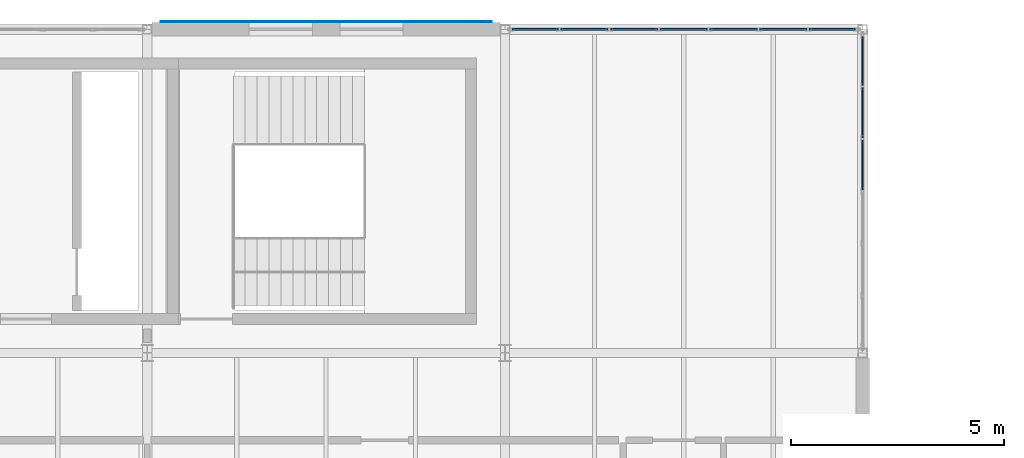
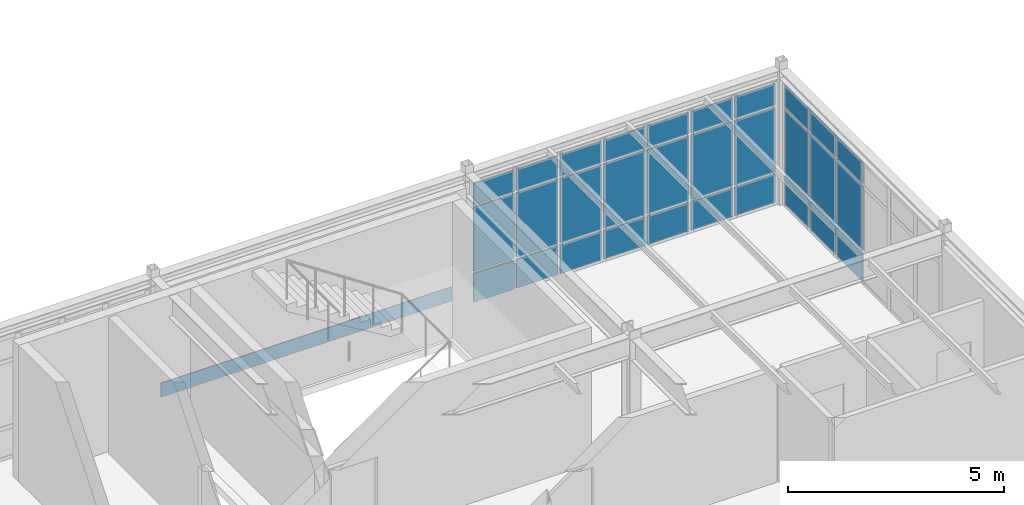
# One storey, part 74 of 114: 31 plates, 2 elements without a shape of their own.
"""IFC4 building model written with IfcOpenShell, lengths in metres."""

from ifc_helpers import new_model, si_unit, direction, frame, origin, origin_2d, place, context, subcontext, project, spatial, rectangle, extrude, material, layer, layer_set, type_object, element, aggregate, save


model = new_model("IFC4")

# Units and contexts
model_context = context("Model", 3, precision=1e-05, world=origin(), true_north=direction((0.0, 1.0)))
body_context = subcontext(model_context, "Body", "Model", "MODEL_VIEW")
ifc_project = project(units=[si_unit("LENGTHUNIT", "METRE"), si_unit("AREAUNIT", "SQUARE_METRE"), si_unit("VOLUMEUNIT", "CUBIC_METRE"), si_unit("PLANEANGLEUNIT", "RADIAN"), si_unit("MASSUNIT", "GRAM", prefix="KILO")], contexts=[model_context])

# Site, building, storey
site_placement = place(None, origin())
site = spatial("IfcSite", under=ifc_project, at=site_placement, CompositionType="ELEMENT")
building_placement = place(site_placement, origin())
building = spatial("IfcBuilding", under=site, at=building_placement, Name="Montecoro Central Library", CompositionType="ELEMENT")
storey_placement = place(building_placement, frame((0.0, 0.0, 13.260009765625)))
storey = spatial("IfcBuildingStorey", under=building, at=storey_placement, Name="L03", CompositionType="ELEMENT", Elevation=13.260009765625)

# Curtain wall, plates
ifc_material_1 = material(Name="Bronze-anodised aluminium and low-E glazing", Category="aluminium")
ifc_layer_1 = layer(ifc_material_1, 0.159912109375)
ifc_layer_set_1 = layer_set([ifc_layer_1], Name="Bronze-anodised aluminium and low-E glazing")
curtain_wall_type_1 = type_object("IfcCurtainWallType", Name="CWT-018", PredefinedType="NOTDEFINED", material=ifc_layer_set_1)
curtain_wall_1_placement = place(storey_placement, origin())
curtain_wall_1 = element("IfcCurtainWall", 1, at=curtain_wall_1_placement, inside=storey, type_object=curtain_wall_type_1, Name="V2-L03-CW-E3", PredefinedType="NOTDEFINED")
ifc_material_2 = material(Name="Laminated low-E double glazing", Category="glass")
ifc_layer_2 = layer(ifc_material_2, 0.033935546875)
ifc_layer_set_2 = layer_set([ifc_layer_2], Name="Laminated low-E double glazing")
plate_type_1 = type_object("IfcPlateType", Name="CWP-GLZ-03", PredefinedType="CURTAIN_PANEL", material=ifc_layer_set_2)
plate_1_placement = place(storey_placement, frame((116.800048828125, 115.814453125, 0.06005859375), z_axis=(0.0, 0.0, 1.0), x_axis=(0.0, 1.0, 0.0)))
plate_1 = element("IfcPlate", 2, at=plate_1_placement, type_object=plate_type_1, Name="CW-018 panel 4.1", PredefinedType="CURTAIN_PANEL", context=body_context, shape_type="SweptSolid", body=[
    extrude(rectangle(XDim=1.1689453125, YDim=0.033935546875, at=origin_2d()), origin(), (0.0, 0.0, 1.0), 0.81005859375),
])
plate_2_placement = place(storey_placement, frame((116.800048828125, 115.814453125, 0.93017578125), z_axis=(0.0, 0.0, 1.0), x_axis=(0.0, 1.0, 0.0)))
plate_2 = element("IfcPlate", 3, at=plate_2_placement, type_object=plate_type_1, Name="CW-018 panel 4.2", PredefinedType="CURTAIN_PANEL", context=body_context, shape_type="SweptSolid", body=[
    extrude(rectangle(XDim=1.1689453125, YDim=0.033935546875, at=origin_2d()), origin(), (0.0, 0.0, 1.0), 1.820068359375),
])
plate_3_placement = place(storey_placement, frame((116.800048828125, 115.814453125, 2.81005859375), z_axis=(0.0, 0.0, 1.0), x_axis=(0.0, 1.0, 0.0)))
plate_3 = element("IfcPlate", 4, at=plate_3_placement, type_object=plate_type_1, Name="CW-018 panel 4.3", PredefinedType="CURTAIN_PANEL", context=body_context, shape_type="SweptSolid", body=[
    extrude(rectangle(XDim=1.1689453125, YDim=0.033935546875, at=origin_2d()), origin(), (0.0, 0.0, 1.0), 0.610107421875),
])
plate_4_placement = place(storey_placement, frame((116.800048828125, 117.04345703125, 0.06005859375), z_axis=(0.0, 0.0, 1.0), x_axis=(0.0, 1.0, 0.0)))
plate_4 = element("IfcPlate", 5, at=plate_4_placement, type_object=plate_type_1, Name="CW-018 panel 5.1", PredefinedType="CURTAIN_PANEL", context=body_context, shape_type="SweptSolid", body=[
    extrude(rectangle(XDim=1.1689453125, YDim=0.033935546875, at=origin_2d()), origin(), (0.0, 0.0, 1.0), 0.81005859375),
])
plate_5_placement = place(storey_placement, frame((116.800048828125, 117.04345703125, 0.93017578125), z_axis=(0.0, 0.0, 1.0), x_axis=(0.0, 1.0, 0.0)))
plate_5 = element("IfcPlate", 6, at=plate_5_placement, type_object=plate_type_1, Name="CW-018 panel 5.2", PredefinedType="CURTAIN_PANEL", context=body_context, shape_type="SweptSolid", body=[
    extrude(rectangle(XDim=1.1689453125, YDim=0.033935546875, at=origin_2d()), origin(), (0.0, 0.0, 1.0), 1.820068359375),
])
plate_6_placement = place(storey_placement, frame((116.800048828125, 117.04345703125, 2.81005859375), z_axis=(0.0, 0.0, 1.0), x_axis=(0.0, 1.0, 0.0)))
plate_6 = element("IfcPlate", 7, at=plate_6_placement, type_object=plate_type_1, Name="CW-018 panel 5.3", PredefinedType="CURTAIN_PANEL", context=body_context, shape_type="SweptSolid", body=[
    extrude(rectangle(XDim=1.1689453125, YDim=0.033935546875, at=origin_2d()), origin(), (0.0, 0.0, 1.0), 0.610107421875),
])
plate_7_placement = place(storey_placement, frame((116.800048828125, 118.257568359375, 0.06005859375), z_axis=(0.0, 0.0, 1.0), x_axis=(0.0, 1.0, 0.0)))
plate_7 = element("IfcPlate", 8, at=plate_7_placement, type_object=plate_type_1, Name="CW-018 panel 6.1", PredefinedType="CURTAIN_PANEL", context=body_context, shape_type="SweptSolid", body=[
    extrude(rectangle(XDim=1.138916015625, YDim=0.033935546875, at=origin_2d()), origin(), (0.0, 0.0, 1.0), 0.81005859375),
])
plate_8_placement = place(storey_placement, frame((116.800048828125, 118.257568359375, 0.93017578125), z_axis=(0.0, 0.0, 1.0), x_axis=(0.0, 1.0, 0.0)))
plate_8 = element("IfcPlate", 9, at=plate_8_placement, type_object=plate_type_1, Name="CW-018 panel 6.2", PredefinedType="CURTAIN_PANEL", context=body_context, shape_type="SweptSolid", body=[
    extrude(rectangle(XDim=1.138916015625, YDim=0.033935546875, at=origin_2d()), origin(), (0.0, 0.0, 1.0), 1.820068359375),
])
plate_9_placement = place(storey_placement, frame((116.800048828125, 118.257568359375, 2.81005859375), z_axis=(0.0, 0.0, 1.0), x_axis=(0.0, 1.0, 0.0)))
plate_9 = element("IfcPlate", 10, at=plate_9_placement, type_object=plate_type_1, Name="CW-018 panel 6.3", PredefinedType="CURTAIN_PANEL", context=body_context, shape_type="SweptSolid", body=[
    extrude(rectangle(XDim=1.138916015625, YDim=0.033935546875, at=origin_2d()), origin(), (0.0, 0.0, 1.0), 0.610107421875),
])
aggregate(curtain_wall_1, [plate_1, plate_2, plate_3, plate_4, plate_5, plate_6, plate_7, plate_8, plate_9])

ifc_layer_3 = layer(ifc_material_1, 0.159912109375)
ifc_layer_set_3 = layer_set([ifc_layer_3], Name="Bronze-anodised aluminium and low-E glazing")
curtain_wall_type_2 = type_object("IfcCurtainWallType", Name="CWT-019", PredefinedType="NOTDEFINED", material=ifc_layer_set_3)
curtain_wall_2_placement = place(storey_placement, origin())
curtain_wall_2 = element("IfcCurtainWall", 11, at=curtain_wall_2_placement, inside=storey, type_object=curtain_wall_type_2, Name="V2-L03-CW-N5", PredefinedType="NOTDEFINED")
ifc_layer_4 = layer(ifc_material_2, 0.0419921875)
ifc_layer_set_4 = layer_set([ifc_layer_4], Name="Laminated low-E double glazing")
plate_type_2 = type_object("IfcPlateType", Name="CWP-GLZ-05", PredefinedType="CURTAIN_PANEL", material=ifc_layer_set_4)
plate_10_placement = place(storey_placement, frame((116.088134765625, 119.0, 0.06005859375), z_axis=(0.0, 0.0, 1.0), x_axis=(-1.0, 0.0, 0.0)))
plate_10 = element("IfcPlate", 12, at=plate_10_placement, type_object=plate_type_2, Name="CW-019 panel 1.1", PredefinedType="CURTAIN_PANEL", context=body_context, shape_type="SweptSolid", body=[
    extrude(rectangle(XDim=1.07763671875, YDim=0.0419921875, at=origin_2d()), origin(), (0.0, 0.0, 1.0), 0.81005859375),
])
plate_11_placement = place(storey_placement, frame((116.088134765625, 119.0, 0.93017578125), z_axis=(0.0, 0.0, 1.0), x_axis=(-1.0, 0.0, 0.0)))
plate_11 = element("IfcPlate", 13, at=plate_11_placement, type_object=plate_type_2, Name="CW-019 panel 1.2", PredefinedType="CURTAIN_PANEL", context=body_context, shape_type="SweptSolid", body=[
    extrude(rectangle(XDim=1.07763671875, YDim=0.0419921875, at=origin_2d()), origin(), (0.0, 0.0, 1.0), 1.820068359375),
])
plate_12_placement = place(storey_placement, frame((116.088134765625, 119.0, 2.81005859375), z_axis=(0.0, 0.0, 1.0), x_axis=(-1.0, 0.0, 0.0)))
plate_12 = element("IfcPlate", 14, at=plate_12_placement, type_object=plate_type_2, Name="CW-019 panel 1.3", PredefinedType="CURTAIN_PANEL", context=body_context, shape_type="SweptSolid", body=[
    extrude(rectangle(XDim=1.07763671875, YDim=0.0419921875, at=origin_2d()), origin(), (0.0, 0.0, 1.0), 0.610107421875),
])
plate_13_placement = place(storey_placement, frame((114.935546875, 119.0, 0.06005859375), z_axis=(0.0, 0.0, 1.0), x_axis=(-1.0, 0.0, 0.0)))
plate_13 = element("IfcPlate", 15, at=plate_13_placement, type_object=plate_type_2, Name="CW-019 panel 2.1", PredefinedType="CURTAIN_PANEL", context=body_context, shape_type="SweptSolid", body=[
    extrude(rectangle(XDim=1.107666015625, YDim=0.0419921875, at=origin_2d()), origin(), (0.0, 0.0, 1.0), 0.81005859375),
])
plate_14_placement = place(storey_placement, frame((114.935546875, 119.0, 0.93017578125), z_axis=(0.0, 0.0, 1.0), x_axis=(-1.0, 0.0, 0.0)))
plate_14 = element("IfcPlate", 16, at=plate_14_placement, type_object=plate_type_2, Name="CW-019 panel 2.2", PredefinedType="CURTAIN_PANEL", context=body_context, shape_type="SweptSolid", body=[
    extrude(rectangle(XDim=1.107666015625, YDim=0.0419921875, at=origin_2d()), origin(), (0.0, 0.0, 1.0), 1.820068359375),
])
plate_15_placement = place(storey_placement, frame((114.935546875, 119.0, 2.81005859375), z_axis=(0.0, 0.0, 1.0), x_axis=(-1.0, 0.0, 0.0)))
plate_15 = element("IfcPlate", 17, at=plate_15_placement, type_object=plate_type_2, Name="CW-019 panel 2.3", PredefinedType="CURTAIN_PANEL", context=body_context, shape_type="SweptSolid", body=[
    extrude(rectangle(XDim=1.107666015625, YDim=0.0419921875, at=origin_2d()), origin(), (0.0, 0.0, 1.0), 0.610107421875),
])
plate_16_placement = place(storey_placement, frame((113.767822265625, 119.0, 0.06005859375), z_axis=(0.0, 0.0, 1.0), x_axis=(-1.0, 0.0, 0.0)))
plate_16 = element("IfcPlate", 18, at=plate_16_placement, type_object=plate_type_2, Name="CW-019 panel 3.1", PredefinedType="CURTAIN_PANEL", context=body_context, shape_type="SweptSolid", body=[
    extrude(rectangle(XDim=1.107666015625, YDim=0.0419921875, at=origin_2d()), origin(), (0.0, 0.0, 1.0), 0.81005859375),
])
plate_17_placement = place(storey_placement, frame((113.767822265625, 119.0, 0.93017578125), z_axis=(0.0, 0.0, 1.0), x_axis=(-1.0, 0.0, 0.0)))
plate_17 = element("IfcPlate", 19, at=plate_17_placement, type_object=plate_type_2, Name="CW-019 panel 3.2", PredefinedType="CURTAIN_PANEL", context=body_context, shape_type="SweptSolid", body=[
    extrude(rectangle(XDim=1.107666015625, YDim=0.0419921875, at=origin_2d()), origin(), (0.0, 0.0, 1.0), 1.820068359375),
])
plate_18_placement = place(storey_placement, frame((113.767822265625, 119.0, 2.81005859375), z_axis=(0.0, 0.0, 1.0), x_axis=(-1.0, 0.0, 0.0)))
plate_18 = element("IfcPlate", 20, at=plate_18_placement, type_object=plate_type_2, Name="CW-019 panel 3.3", PredefinedType="CURTAIN_PANEL", context=body_context, shape_type="SweptSolid", body=[
    extrude(rectangle(XDim=1.107666015625, YDim=0.0419921875, at=origin_2d()), origin(), (0.0, 0.0, 1.0), 0.610107421875),
])
plate_19_placement = place(storey_placement, frame((112.60009765625, 119.0, 0.06005859375), z_axis=(0.0, 0.0, 1.0), x_axis=(-1.0, 0.0, 0.0)))
plate_19 = element("IfcPlate", 21, at=plate_19_placement, type_object=plate_type_2, Name="CW-019 panel 4.1", PredefinedType="CURTAIN_PANEL", context=body_context, shape_type="SweptSolid", body=[
    extrude(rectangle(XDim=1.107666015625, YDim=0.0419921875, at=origin_2d()), origin(), (0.0, 0.0, 1.0), 0.81005859375),
])
plate_20_placement = place(storey_placement, frame((112.60009765625, 119.0, 0.93017578125), z_axis=(0.0, 0.0, 1.0), x_axis=(-1.0, 0.0, 0.0)))
plate_20 = element("IfcPlate", 22, at=plate_20_placement, type_object=plate_type_2, Name="CW-019 panel 4.2", PredefinedType="CURTAIN_PANEL", context=body_context, shape_type="SweptSolid", body=[
    extrude(rectangle(XDim=1.107666015625, YDim=0.0419921875, at=origin_2d()), origin(), (0.0, 0.0, 1.0), 1.820068359375),
])
plate_21_placement = place(storey_placement, frame((112.60009765625, 119.0, 2.81005859375), z_axis=(0.0, 0.0, 1.0), x_axis=(-1.0, 0.0, 0.0)))
plate_21 = element("IfcPlate", 23, at=plate_21_placement, type_object=plate_type_2, Name="CW-019 panel 4.3", PredefinedType="CURTAIN_PANEL", context=body_context, shape_type="SweptSolid", body=[
    extrude(rectangle(XDim=1.107666015625, YDim=0.0419921875, at=origin_2d()), origin(), (0.0, 0.0, 1.0), 0.610107421875),
])
plate_22_placement = place(storey_placement, frame((111.432373046875, 119.0, 0.06005859375), z_axis=(0.0, 0.0, 1.0), x_axis=(-1.0, 0.0, 0.0)))
plate_22 = element("IfcPlate", 24, at=plate_22_placement, type_object=plate_type_2, Name="CW-019 panel 5.1", PredefinedType="CURTAIN_PANEL", context=body_context, shape_type="SweptSolid", body=[
    extrude(rectangle(XDim=1.107666015625, YDim=0.0419921875, at=origin_2d()), origin(), (0.0, 0.0, 1.0), 0.81005859375),
])
plate_23_placement = place(storey_placement, frame((111.432373046875, 119.0, 0.93017578125), z_axis=(0.0, 0.0, 1.0), x_axis=(-1.0, 0.0, 0.0)))
plate_23 = element("IfcPlate", 25, at=plate_23_placement, type_object=plate_type_2, Name="CW-019 panel 5.2", PredefinedType="CURTAIN_PANEL", context=body_context, shape_type="SweptSolid", body=[
    extrude(rectangle(XDim=1.107666015625, YDim=0.0419921875, at=origin_2d()), origin(), (0.0, 0.0, 1.0), 1.820068359375),
])
plate_24_placement = place(storey_placement, frame((111.432373046875, 119.0, 2.81005859375), z_axis=(0.0, 0.0, 1.0), x_axis=(-1.0, 0.0, 0.0)))
plate_24 = element("IfcPlate", 26, at=plate_24_placement, type_object=plate_type_2, Name="CW-019 panel 5.3", PredefinedType="CURTAIN_PANEL", context=body_context, shape_type="SweptSolid", body=[
    extrude(rectangle(XDim=1.107666015625, YDim=0.0419921875, at=origin_2d()), origin(), (0.0, 0.0, 1.0), 0.610107421875),
])
plate_25_placement = place(storey_placement, frame((110.2646484375, 119.0, 0.06005859375), z_axis=(0.0, 0.0, 1.0), x_axis=(-1.0, 0.0, 0.0)))
plate_25 = element("IfcPlate", 27, at=plate_25_placement, type_object=plate_type_2, Name="CW-019 panel 6.1", PredefinedType="CURTAIN_PANEL", context=body_context, shape_type="SweptSolid", body=[
    extrude(rectangle(XDim=1.107666015625, YDim=0.0419921875, at=origin_2d()), origin(), (0.0, 0.0, 1.0), 0.81005859375),
])
plate_26_placement = place(storey_placement, frame((110.2646484375, 119.0, 0.93017578125), z_axis=(0.0, 0.0, 1.0), x_axis=(-1.0, 0.0, 0.0)))
plate_26 = element("IfcPlate", 28, at=plate_26_placement, type_object=plate_type_2, Name="CW-019 panel 6.2", PredefinedType="CURTAIN_PANEL", context=body_context, shape_type="SweptSolid", body=[
    extrude(rectangle(XDim=1.107666015625, YDim=0.0419921875, at=origin_2d()), origin(), (0.0, 0.0, 1.0), 1.820068359375),
])
plate_27_placement = place(storey_placement, frame((110.2646484375, 119.0, 2.81005859375), z_axis=(0.0, 0.0, 1.0), x_axis=(-1.0, 0.0, 0.0)))
plate_27 = element("IfcPlate", 29, at=plate_27_placement, type_object=plate_type_2, Name="CW-019 panel 6.3", PredefinedType="CURTAIN_PANEL", context=body_context, shape_type="SweptSolid", body=[
    extrude(rectangle(XDim=1.107666015625, YDim=0.0419921875, at=origin_2d()), origin(), (0.0, 0.0, 1.0), 0.610107421875),
])
plate_28_placement = place(storey_placement, frame((109.11181640625, 119.0, 0.06005859375), z_axis=(0.0, 0.0, 1.0), x_axis=(-1.0, 0.0, 0.0)))
plate_28 = element("IfcPlate", 30, at=plate_28_placement, type_object=plate_type_2, Name="CW-019 panel 7.1", PredefinedType="CURTAIN_PANEL", context=body_context, shape_type="SweptSolid", body=[
    extrude(rectangle(XDim=1.07763671875, YDim=0.0419921875, at=origin_2d()), origin(), (0.0, 0.0, 1.0), 0.81005859375),
])
plate_29_placement = place(storey_placement, frame((109.11181640625, 119.0, 0.93017578125), z_axis=(0.0, 0.0, 1.0), x_axis=(-1.0, 0.0, 0.0)))
plate_29 = element("IfcPlate", 31, at=plate_29_placement, type_object=plate_type_2, Name="CW-019 panel 7.2", PredefinedType="CURTAIN_PANEL", context=body_context, shape_type="SweptSolid", body=[
    extrude(rectangle(XDim=1.07763671875, YDim=0.0419921875, at=origin_2d()), origin(), (0.0, 0.0, 1.0), 1.820068359375),
])
plate_30_placement = place(storey_placement, frame((109.11181640625, 119.0, 2.81005859375), z_axis=(0.0, 0.0, 1.0), x_axis=(-1.0, 0.0, 0.0)))
plate_30 = element("IfcPlate", 32, at=plate_30_placement, type_object=plate_type_2, Name="CW-019 panel 7.3", PredefinedType="CURTAIN_PANEL", context=body_context, shape_type="SweptSolid", body=[
    extrude(rectangle(XDim=1.07763671875, YDim=0.0419921875, at=origin_2d()), origin(), (0.0, 0.0, 1.0), 0.610107421875),
])
aggregate(curtain_wall_2, [plate_10, plate_11, plate_12, plate_13, plate_14, plate_15, plate_16, plate_17, plate_18, plate_19, plate_20, plate_21, plate_22, plate_23, plate_24, plate_25, plate_26, plate_27, plate_28, plate_29, plate_30])

# Plate
ifc_material_3 = material(Name="Architectural bronze spandrel plate", Category="aluminium")
ifc_layer_5 = layer(ifc_material_3, 0.02197265625)
ifc_layer_set_5 = layer_set([ifc_layer_5], Name="Architectural bronze spandrel plate")
plate_type_3 = type_object("IfcPlateType", Name="PLT-SPN-01", PredefinedType="SHEET", material=ifc_layer_set_5)
plate_31_placement = place(storey_placement, frame((104.199951171875, 119.173583984375, 0.16015625), z_axis=(0.0, 0.0, 1.0), x_axis=(-1.0, 0.0, 0.0)))
element("IfcPlate", 33, at=plate_31_placement, inside=storey, type_object=plate_type_3, Name="V2-L03-SPN-N4", PredefinedType="SHEET", context=body_context, shape_type="SweptSolid", body=[
    extrude(rectangle(XDim=7.77392578125, YDim=0.02197265625, at=origin_2d()), origin(), (0.0, 0.0, 1.0), 0.39990234375),
])

save(model, "model.ifc")
